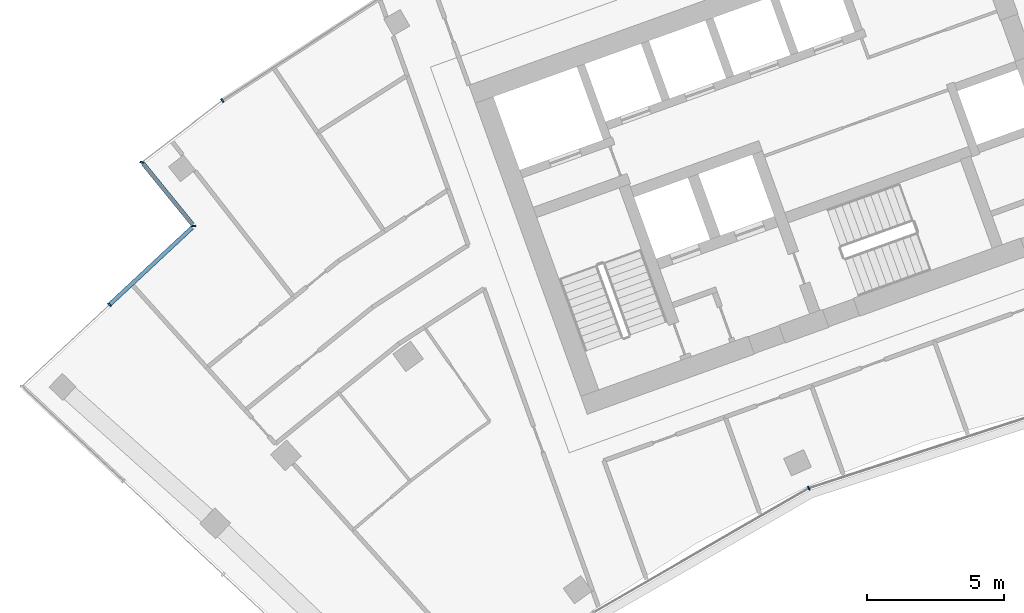
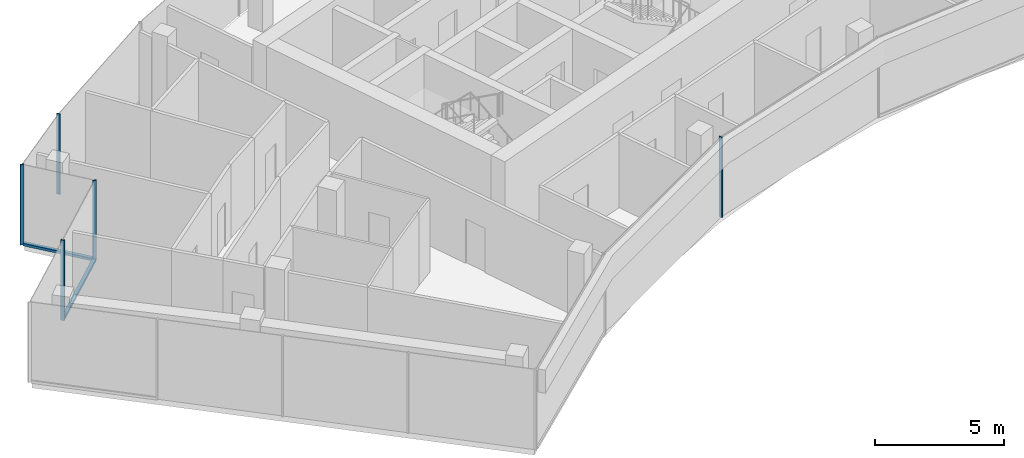
# One storey, part 3 of 18: 7 members, 4 elements without a shape of their own.
"""IFC4 building model written with IfcOpenShell, lengths in metres."""

from ifc_helpers import new_model, si_unit, direction, frame, origin, origin_2d, place, context, subcontext, project, spatial, rectangle, extrude, material, layer, layer_set, material_profile, profile_set, type_object, element, aggregate, save


model = new_model("IFC4")

# Units and contexts
model_context = context("Model", 3, precision=1e-05, world=origin(), true_north=direction((0.0, 1.0)))
body_context = subcontext(model_context, "Body", "Model", "MODEL_VIEW")
ifc_project = project(units=[si_unit("LENGTHUNIT", "METRE"), si_unit("AREAUNIT", "SQUARE_METRE"), si_unit("VOLUMEUNIT", "CUBIC_METRE"), si_unit("PLANEANGLEUNIT", "RADIAN"), si_unit("MASSUNIT", "GRAM", prefix="KILO")], contexts=[model_context])

# Site, building, storey
site_placement = place(None, origin())
site = spatial("IfcSite", under=ifc_project, at=site_placement, CompositionType="ELEMENT")
building_placement = place(site_placement, origin())
building = spatial("IfcBuilding", under=site, at=building_placement, Name="Stone Belt Terrace Tower", CompositionType="ELEMENT")
storey_placement = place(building_placement, frame((0.0, 0.0, 299.800048828125)))
storey = spatial("IfcBuildingStorey", under=building, at=storey_placement, Name="L73", CompositionType="ELEMENT", Elevation=299.800048828125)

# Curtain wall, member
ifc_material = material(Name="Aluminium 6063-T6 anodised frame", Category="aluminium")
ifc_layer_1 = layer(ifc_material, 0.14990234375)
ifc_layer_set_1 = layer_set([ifc_layer_1], Name="CW-A unitised convex-face curtain wall")
curtain_wall_type_1 = type_object("IfcCurtainWallType", Name="CW-A unitised convex-face curtain wall", PredefinedType="NOTDEFINED", material=ifc_layer_set_1)
curtain_wall_1_placement = place(storey_placement, origin())
curtain_wall_1 = element("IfcCurtainWall", 1, at=curtain_wall_1_placement, inside=storey, type_object=curtain_wall_type_1, Name="CW-A convex face L73", PredefinedType="NOTDEFINED")
ifc_material_profile_1 = material_profile(ifc_material, rectangle(XDim=0.14990234375, YDim=0.06005859375, at=origin_2d()), Name="Aluminium 6063-T6 60x150")
ifc_profile_set_1 = profile_set([ifc_material_profile_1], Name="Aluminium 6063-T6 anodised frame")
member_type_1 = type_object("IfcMemberType", Name="CW-A mullion 60 x 150", PredefinedType="MULLION", material=ifc_profile_set_1)
member_1_placement = place(storey_placement, frame((-39.131103515625, 53.86083984375, 0.0), z_axis=(0.0, 0.0, 1.0), x_axis=(0.577587125789, -0.816329046477, 0.0)))
member_1 = element("IfcMember", 2, at=member_1_placement, type_object=member_type_1, Name="CW-A mullion 14", PredefinedType="MULLION", context=body_context, shape_type="SweptSolid", body=[
    extrude(rectangle(XDim=0.14990234375, YDim=0.06005859375, at=origin_2d()), origin(), (0.0, 0.0, 1.0), 3.800048828125),
])
aggregate(curtain_wall_1, [member_1])

ifc_layer_2 = layer(ifc_material, 0.14990234375)
ifc_layer_set_2 = layer_set([ifc_layer_2], Name="CW-B unitised concave-face curtain wall")
curtain_wall_type_2 = type_object("IfcCurtainWallType", Name="CW-B unitised concave-face curtain wall", PredefinedType="NOTDEFINED", material=ifc_layer_set_2)
curtain_wall_2_placement = place(storey_placement, origin())
curtain_wall_2 = element("IfcCurtainWall", 3, at=curtain_wall_2_placement, inside=storey, type_object=curtain_wall_type_2, Name="CW-B concave face L73", PredefinedType="NOTDEFINED")
ifc_material_profile_2 = material_profile(ifc_material, rectangle(XDim=0.14990234375, YDim=0.050048828125, at=origin_2d()), Name="Aluminium 6063-T6 50x150")
ifc_profile_set_2 = profile_set([ifc_material_profile_2], Name="Aluminium 6063-T6 anodised frame")
member_type_2 = type_object("IfcMemberType", Name="CW-B mullion 50 x 150", PredefinedType="MULLION", material=ifc_profile_set_2)
member_2_placement = place(storey_placement, frame((-17.662353515625, 39.67041015625, 0.0), z_axis=(0.0, 0.0, 1.0), x_axis=(-0.406736643076, 0.913545457643, 0.0)))
member_2 = element("IfcMember", 4, at=member_2_placement, type_object=member_type_2, Name="CW-B mullion 3", PredefinedType="MULLION", context=body_context, shape_type="SweptSolid", body=[
    extrude(rectangle(XDim=0.14990234375, YDim=0.050048828125, at=origin_2d()), origin(), (0.0, 0.0, 1.0), 3.800048828125),
])
aggregate(curtain_wall_2, [member_2])

ifc_layer_3 = layer(ifc_material, 0.14990234375)
ifc_layer_set_3 = layer_set([ifc_layer_3], Name="CW-C stick curtain wall, horn ends and notches")
curtain_wall_type_3 = type_object("IfcCurtainWallType", Name="CW-C stick curtain wall, horn ends and notches", PredefinedType="NOTDEFINED", material=ifc_layer_set_3)
curtain_wall_3_placement = place(storey_placement, origin())
curtain_wall_3 = element("IfcCurtainWall", 5, at=curtain_wall_3_placement, inside=storey, type_object=curtain_wall_type_3, Name="CW-C notch face L73", PredefinedType="NOTDEFINED")
ifc_material_profile_3 = material_profile(ifc_material, rectangle(XDim=0.14990234375, YDim=0.06005859375, at=origin_2d()), Name="Aluminium 6063-T6 60x150")
ifc_profile_set_3 = profile_set([ifc_material_profile_3], Name="Aluminium 6063-T6 anodised frame")
member_type_3 = type_object("IfcMemberType", Name="CW-C mullion 60 x 150", PredefinedType="MULLION", material=ifc_profile_set_3)
member_3_placement = place(storey_placement, frame((-42.068359375, 51.60205078125, 0.0), z_axis=(0.0, 0.0, 1.0), x_axis=(0.993258004644, -0.115924700604, 0.0)))
member_3 = element("IfcMember", 6, at=member_3_placement, type_object=member_type_3, Name="CW-C mullion 1", PredefinedType="MULLION", context=body_context, shape_type="SweptSolid", body=[
    extrude(rectangle(XDim=0.14990234375, YDim=0.06005859375, at=origin_2d()), origin(), (0.0, 0.0, 1.0), 3.800048828125),
])

# Curtain wall, members
curtain_wall_4_placement = place(storey_placement, origin())
curtain_wall_4 = element("IfcCurtainWall", 7, at=curtain_wall_4_placement, inside=storey, type_object=curtain_wall_type_3, Name="CW-C notch face L73", PredefinedType="NOTDEFINED")
member_4_placement = place(storey_placement, frame((-40.1708984375, 49.269287109375, 0.0), z_axis=(0.0, 0.0, 1.0), x_axis=(0.997639702696, -0.068666029474, 0.0)))
member_4 = element("IfcMember", 8, at=member_4_placement, type_object=member_type_3, Name="CW-C mullion 1", PredefinedType="MULLION", context=body_context, shape_type="SweptSolid", body=[
    extrude(rectangle(XDim=0.14990234375, YDim=0.06005859375, at=origin_2d()), origin(), (0.0, 0.0, 1.0), 3.800048828125),
])
member_5_placement = place(storey_placement, frame((-43.260009765625, 46.388671875, 0.0), z_axis=(0.0, 0.0, 1.0), x_axis=(0.682013767261, -0.731339333871, 0.0)))
member_5 = element("IfcMember", 9, at=member_5_placement, type_object=member_type_3, Name="CW-C mullion 2", PredefinedType="MULLION", context=body_context, shape_type="SweptSolid", body=[
    extrude(rectangle(XDim=0.14990234375, YDim=0.06005859375, at=origin_2d()), origin(), (0.0, 0.0, 1.0), 3.800048828125),
])

# Member
ifc_material_profile_4 = material_profile(ifc_material, rectangle(XDim=0.14990234375, YDim=0.1201171875, at=origin_2d()), Name="Aluminium 6063-T6 150x120")
ifc_profile_set_4 = profile_set([ifc_material_profile_4], Name="Aluminium 6063-T6 anodised frame")
member_type_4 = type_object("IfcMemberType", Name="CW-C transom 120 x 150", PredefinedType="USERDEFINED", material=ifc_profile_set_4)
member_6_placement = place(storey_placement, frame((-42.021240234375, 51.5439453125, 0.06005859375), z_axis=(0.631026504781, -0.775761271439, 0.0), x_axis=(0.775761271439, 0.631026504781, 0.0)))
member_6 = element("IfcMember", 10, at=member_6_placement, type_object=member_type_4, Name="CW-C transom 1.1", ObjectType="TRANSOM", PredefinedType="USERDEFINED", context=body_context, shape_type="SweptSolid", body=[
    extrude(rectangle(XDim=0.14990234375, YDim=0.1201171875, at=origin_2d()), origin(), (0.0, 0.0, 1.0), 2.859130859375),
])

aggregate(curtain_wall_3, [member_3, member_6])

member_7_placement = place(storey_placement, frame((-40.224365234375, 49.21923828125, 0.06005859375), z_axis=(-0.731382255625, -0.681967738355, 0.0), x_axis=(0.681967738355, -0.731382255625, 0.0)))
member_7 = element("IfcMember", 11, at=member_7_placement, type_object=member_type_4, Name="CW-C transom 1.1", ObjectType="TRANSOM", PredefinedType="USERDEFINED", context=body_context, shape_type="SweptSolid", body=[
    extrude(rectangle(XDim=0.14990234375, YDim=0.1201171875, at=origin_2d()), origin(), (0.0, 0.0, 1.0), 4.12060546875),
])

aggregate(curtain_wall_4, [member_4, member_5, member_7])

save(model, "model.ifc")
